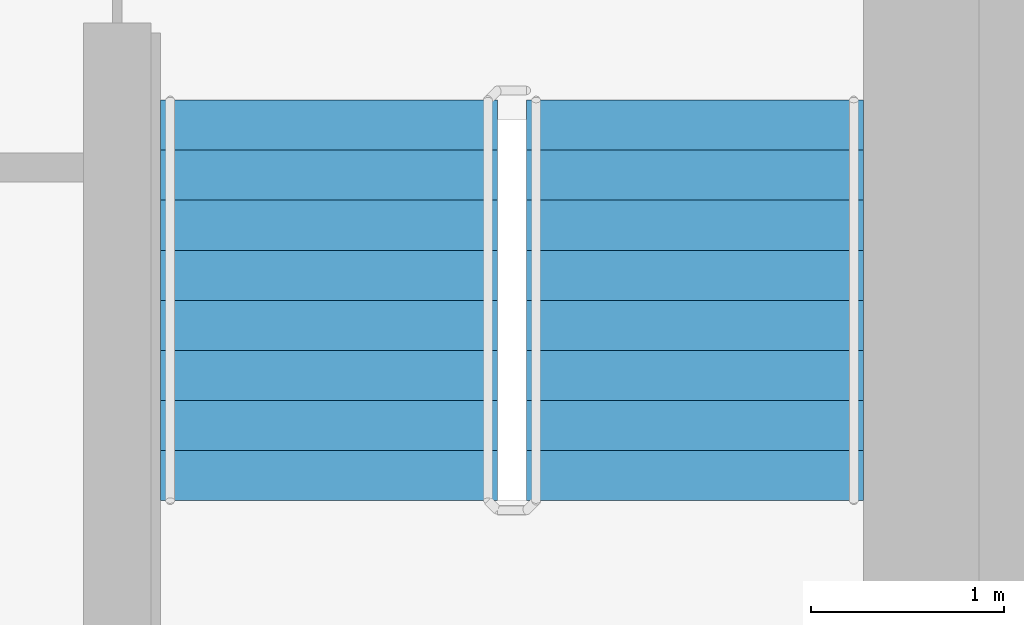
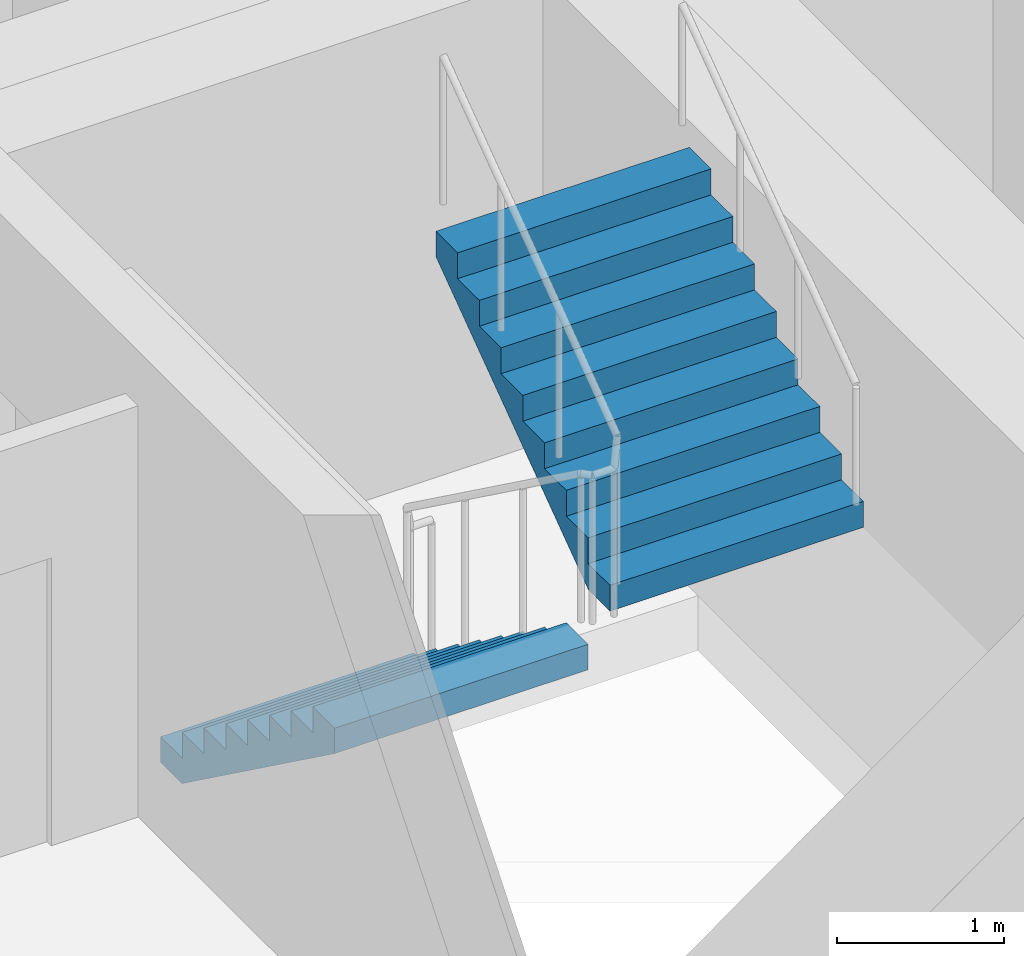
# One storey, part 14 of 18: 2 stair flights, 1 element without a shape of its own.
"""IFC4 building model written with IfcOpenShell, lengths in metres."""

from ifc_helpers import new_model, si_unit, direction, frame, origin, place, context, subcontext, project, spatial, faceted_brep, material, type_object, element, aggregate, save


model = new_model("IFC4")

# Units and contexts
model_context = context("Model", 3, precision=1e-05, world=origin(), true_north=direction((0.0, 1.0)))
body_context = subcontext(model_context, "Body", "Model", "MODEL_VIEW")
ifc_project = project(units=[si_unit("LENGTHUNIT", "METRE"), si_unit("AREAUNIT", "SQUARE_METRE"), si_unit("VOLUMEUNIT", "CUBIC_METRE"), si_unit("PLANEANGLEUNIT", "RADIAN"), si_unit("MASSUNIT", "GRAM", prefix="KILO")], contexts=[model_context])

# Site, building, storey
site_placement = place(None, origin())
site = spatial("IfcSite", under=ifc_project, at=site_placement, CompositionType="ELEMENT")
building_placement = place(site_placement, origin())
building = spatial("IfcBuilding", under=site, at=building_placement, Name="Ipe Terrace Towers", CompositionType="ELEMENT")
storey_placement = place(building_placement, frame((0.0, 0.0, 216.39990234375)))
storey = spatial("IfcBuildingStorey", under=building, at=storey_placement, Name="L60", CompositionType="ELEMENT", Elevation=216.39990234375)

# Stair, stair flights
ifc_material_1 = material(Name="Concrete C30/37", Category="concrete")
stair_type = type_object("IfcStairType", Name="Protected exit stair", PredefinedType="HALF_TURN_STAIR", material=ifc_material_1)
stair_placement = place(storey_placement, origin())
stair = element("IfcStair", 1, at=stair_placement, inside=storey, type_object=stair_type, Name="L60 Exit stair T2-C2", PredefinedType="HALF_TURN_STAIR")
ifc_material_2 = material(Name="Concrete C30/37", Category="concrete")
stair_flight_type = type_object("IfcStairFlightType", Name="Exit stair flight 1750", PredefinedType="STRAIGHT", material=ifc_material_2)
stair_flight_1_placement = place(storey_placement, frame((38.77490234375, -9.699951171875, 0.0), z_axis=(0.0, 0.0, 1.0), x_axis=(0.0, -1.0, 0.0)))
stair_flight_1 = element("IfcStairFlight", 2, at=stair_flight_1_placement, type_object=stair_flight_type, Name="T2-ST2 flight 1", NumberOfRisers=9, NumberOfTreads=8, PredefinedType="STRAIGHT", RiserHeight=0.188888889, TreadLength=0.26, context=body_context, shape_type="Brep", body=[
    faceted_brep([(0.255126953125, -0.875, 0.0), (2.080078125, -0.875, 1.325927734375), (2.080078125, -0.875, 1.51123046875), (1.820068359375, -0.875, 1.51123046875), (1.820068359375, -0.875, 1.322265625), (1.56005859375, -0.875, 1.322265625), (1.56005859375, -0.875, 1.13330078125), (1.300048828125, -0.875, 1.13330078125), (1.300048828125, -0.875, 0.9443359375), (1.0400390625, -0.875, 0.9443359375), (1.0400390625, -0.875, 0.755615234375), (0.780029296875, -0.875, 0.755615234375), (0.780029296875, -0.875, 0.566650390625), (0.52001953125, -0.875, 0.566650390625), (0.52001953125, -0.875, 0.377685546875), (0.260009765625, -0.875, 0.377685546875), (0.260009765625, -0.875, 0.18896484375), (0.0, -0.875, 0.18896484375), (0.0, -0.875, 0.0), (0.0, 0.875, 0.0), (0.0, 0.875, 0.18896484375), (0.260009765625, 0.875, 0.18896484375), (0.260009765625, 0.875, 0.377685546875), (0.52001953125, 0.875, 0.377685546875), (0.52001953125, 0.875, 0.566650390625), (0.780029296875, 0.875, 0.566650390625), (0.780029296875, 0.875, 0.755615234375), (1.0400390625, 0.875, 0.755615234375), (1.0400390625, 0.875, 0.9443359375), (1.300048828125, 0.875, 0.9443359375), (1.300048828125, 0.875, 1.13330078125), (1.56005859375, 0.875, 1.13330078125), (1.56005859375, 0.875, 1.322265625), (1.820068359375, 0.875, 1.322265625), (1.820068359375, 0.875, 1.51123046875), (2.080078125, 0.875, 1.51123046875), (2.080078125, 0.875, 1.325927734375), (0.255126953125, 0.875, 0.0), (0.0, -0.300048828125, 0.18896484375), (0.0, -0.1201171875, 0.18896484375), (0.0, -0.06005859375, 0.18896484375), (0.0, -0.030029296875, 0.18896484375), (0.0, -0.010009765625, 0.18896484375), (0.0, 0.0, 0.18896484375), (0.0, 0.010009765625, 0.18896484375), (0.0, 0.030029296875, 0.18896484375), (0.0, 0.06005859375, 0.18896484375), (0.0, 0.1201171875, 0.18896484375), (0.0, 0.300048828125, 0.18896484375), (0.0, 0.300048828125, 0.0), (0.0, 0.1201171875, 0.0), (0.0, 0.06005859375, 0.0), (0.0, 0.030029296875, 0.0), (0.0, 0.010009765625, 0.0), (0.0, 0.0, 0.0), (0.0, -0.010009765625, 0.0), (0.0, -0.030029296875, 0.0), (0.0, -0.06005859375, 0.0), (0.0, -0.1201171875, 0.0), (0.0, -0.300048828125, 0.0), (0.260009765625, -0.300048828125, 0.18896484375), (0.260009765625, -0.1201171875, 0.18896484375), (0.260009765625, -0.06005859375, 0.18896484375), (0.260009765625, -0.030029296875, 0.18896484375), (0.260009765625, -0.010009765625, 0.18896484375), (0.260009765625, 0.0, 0.18896484375), (0.260009765625, 0.010009765625, 0.18896484375), (0.260009765625, 0.030029296875, 0.18896484375), (0.260009765625, 0.06005859375, 0.18896484375), (0.260009765625, 0.1201171875, 0.18896484375), (0.260009765625, 0.300048828125, 0.18896484375), (0.260009765625, -0.300048828125, 0.377685546875), (0.260009765625, -0.1201171875, 0.377685546875), (0.260009765625, -0.06005859375, 0.377685546875), (0.260009765625, -0.030029296875, 0.377685546875), (0.260009765625, -0.010009765625, 0.377685546875), (0.260009765625, 0.0, 0.377685546875), (0.260009765625, 0.010009765625, 0.377685546875), (0.260009765625, 0.030029296875, 0.377685546875), (0.260009765625, 0.06005859375, 0.377685546875), (0.260009765625, 0.1201171875, 0.377685546875), (0.260009765625, 0.300048828125, 0.377685546875), (0.52001953125, -0.300048828125, 0.377685546875), (0.52001953125, -0.1201171875, 0.377685546875), (0.52001953125, -0.06005859375, 0.377685546875), (0.52001953125, -0.030029296875, 0.377685546875), (0.52001953125, -0.010009765625, 0.377685546875), (0.52001953125, 0.0, 0.377685546875), (0.52001953125, 0.010009765625, 0.377685546875), (0.52001953125, 0.030029296875, 0.377685546875), (0.52001953125, 0.06005859375, 0.377685546875), (0.52001953125, 0.1201171875, 0.377685546875), (0.52001953125, 0.300048828125, 0.377685546875), (0.52001953125, -0.300048828125, 0.566650390625), (0.52001953125, -0.1201171875, 0.566650390625), (0.52001953125, -0.06005859375, 0.566650390625), (0.52001953125, -0.030029296875, 0.566650390625), (0.52001953125, -0.010009765625, 0.566650390625), (0.52001953125, 0.0, 0.566650390625), (0.52001953125, 0.010009765625, 0.566650390625), (0.52001953125, 0.030029296875, 0.566650390625), (0.52001953125, 0.06005859375, 0.566650390625), (0.52001953125, 0.1201171875, 0.566650390625), (0.52001953125, 0.300048828125, 0.566650390625), (0.780029296875, -0.300048828125, 0.566650390625), (0.780029296875, -0.1201171875, 0.566650390625), (0.780029296875, -0.06005859375, 0.566650390625), (0.780029296875, -0.030029296875, 0.566650390625), (0.780029296875, -0.010009765625, 0.566650390625), (0.780029296875, 0.0, 0.566650390625), (0.780029296875, 0.010009765625, 0.566650390625), (0.780029296875, 0.030029296875, 0.566650390625), (0.780029296875, 0.06005859375, 0.566650390625), (0.780029296875, 0.1201171875, 0.566650390625), (0.780029296875, 0.300048828125, 0.566650390625), (0.780029296875, -0.300048828125, 0.755615234375), (0.780029296875, -0.1201171875, 0.755615234375), (0.780029296875, -0.06005859375, 0.755615234375), (0.780029296875, -0.030029296875, 0.755615234375), (0.780029296875, -0.010009765625, 0.755615234375), (0.780029296875, 0.0, 0.755615234375), (0.780029296875, 0.010009765625, 0.755615234375), (0.780029296875, 0.030029296875, 0.755615234375), (0.780029296875, 0.06005859375, 0.755615234375), (0.780029296875, 0.1201171875, 0.755615234375), (0.780029296875, 0.300048828125, 0.755615234375), (1.0400390625, -0.300048828125, 0.755615234375), (1.0400390625, -0.1201171875, 0.755615234375), (1.0400390625, -0.06005859375, 0.755615234375), (1.0400390625, -0.030029296875, 0.755615234375), (1.0400390625, -0.010009765625, 0.755615234375), (1.0400390625, 0.0, 0.755615234375), (1.0400390625, 0.010009765625, 0.755615234375), (1.0400390625, 0.030029296875, 0.755615234375), (1.0400390625, 0.06005859375, 0.755615234375), (1.0400390625, 0.1201171875, 0.755615234375), (1.0400390625, 0.300048828125, 0.755615234375), (1.0400390625, -0.300048828125, 0.9443359375), (1.0400390625, -0.1201171875, 0.9443359375), (1.0400390625, -0.06005859375, 0.9443359375), (1.0400390625, -0.030029296875, 0.9443359375), (1.0400390625, -0.010009765625, 0.9443359375), (1.0400390625, 0.0, 0.9443359375), (1.0400390625, 0.010009765625, 0.9443359375), (1.0400390625, 0.030029296875, 0.9443359375), (1.0400390625, 0.06005859375, 0.9443359375), (1.0400390625, 0.1201171875, 0.9443359375), (1.0400390625, 0.300048828125, 0.9443359375), (1.300048828125, -0.300048828125, 0.9443359375), (1.300048828125, -0.1201171875, 0.9443359375), (1.300048828125, -0.06005859375, 0.9443359375), (1.300048828125, -0.030029296875, 0.9443359375), (1.300048828125, -0.010009765625, 0.9443359375), (1.300048828125, 0.0, 0.9443359375), (1.300048828125, 0.010009765625, 0.9443359375), (1.300048828125, 0.030029296875, 0.9443359375), (1.300048828125, 0.06005859375, 0.9443359375), (1.300048828125, 0.1201171875, 0.9443359375), (1.300048828125, 0.300048828125, 0.9443359375), (1.300048828125, -0.300048828125, 1.13330078125), (1.300048828125, -0.1201171875, 1.13330078125), (1.300048828125, -0.06005859375, 1.13330078125), (1.300048828125, -0.030029296875, 1.13330078125), (1.300048828125, -0.010009765625, 1.13330078125), (1.300048828125, 0.0, 1.13330078125), (1.300048828125, 0.010009765625, 1.13330078125), (1.300048828125, 0.030029296875, 1.13330078125), (1.300048828125, 0.06005859375, 1.13330078125), (1.300048828125, 0.1201171875, 1.13330078125), (1.300048828125, 0.300048828125, 1.13330078125), (1.56005859375, -0.300048828125, 1.13330078125), (1.56005859375, -0.1201171875, 1.13330078125), (1.56005859375, -0.06005859375, 1.13330078125), (1.56005859375, -0.030029296875, 1.13330078125), (1.56005859375, -0.010009765625, 1.13330078125), (1.56005859375, 0.0, 1.13330078125), (1.56005859375, 0.010009765625, 1.13330078125), (1.56005859375, 0.030029296875, 1.13330078125), (1.56005859375, 0.06005859375, 1.13330078125), (1.56005859375, 0.1201171875, 1.13330078125), (1.56005859375, 0.300048828125, 1.13330078125), (1.56005859375, -0.300048828125, 1.322265625), (1.56005859375, -0.1201171875, 1.322265625), (1.56005859375, -0.06005859375, 1.322265625), (1.56005859375, -0.030029296875, 1.322265625), (1.56005859375, -0.010009765625, 1.322265625), (1.56005859375, 0.0, 1.322265625), (1.56005859375, 0.010009765625, 1.322265625), (1.56005859375, 0.030029296875, 1.322265625), (1.56005859375, 0.06005859375, 1.322265625), (1.56005859375, 0.1201171875, 1.322265625), (1.56005859375, 0.300048828125, 1.322265625), (1.820068359375, -0.300048828125, 1.322265625), (1.820068359375, -0.1201171875, 1.322265625), (1.820068359375, -0.06005859375, 1.322265625), (1.820068359375, -0.030029296875, 1.322265625), (1.820068359375, -0.010009765625, 1.322265625), (1.820068359375, 0.0, 1.322265625), (1.820068359375, 0.010009765625, 1.322265625), (1.820068359375, 0.030029296875, 1.322265625), (1.820068359375, 0.06005859375, 1.322265625), (1.820068359375, 0.1201171875, 1.322265625), (1.820068359375, 0.300048828125, 1.322265625), (1.820068359375, -0.300048828125, 1.51123046875), (1.820068359375, -0.1201171875, 1.51123046875), (1.820068359375, -0.06005859375, 1.51123046875), (1.820068359375, -0.030029296875, 1.51123046875), (1.820068359375, -0.010009765625, 1.51123046875), (1.820068359375, 0.0, 1.51123046875), (1.820068359375, 0.010009765625, 1.51123046875), (1.820068359375, 0.030029296875, 1.51123046875), (1.820068359375, 0.06005859375, 1.51123046875), (1.820068359375, 0.1201171875, 1.51123046875), (1.820068359375, 0.300048828125, 1.51123046875), (2.080078125, -0.300048828125, 1.51123046875), (2.080078125, -0.1201171875, 1.51123046875), (2.080078125, -0.06005859375, 1.51123046875), (2.080078125, -0.030029296875, 1.51123046875), (2.080078125, -0.010009765625, 1.51123046875), (2.080078125, 0.0, 1.51123046875), (2.080078125, 0.010009765625, 1.51123046875), (2.080078125, 0.030029296875, 1.51123046875), (2.080078125, 0.06005859375, 1.51123046875), (2.080078125, 0.1201171875, 1.51123046875), (2.080078125, 0.300048828125, 1.51123046875), (2.080078125, -0.300048828125, 1.325927734375), (2.080078125, -0.1201171875, 1.325927734375), (2.080078125, -0.06005859375, 1.325927734375), (2.080078125, -0.030029296875, 1.325927734375), (2.080078125, -0.010009765625, 1.325927734375), (2.080078125, 0.0, 1.325927734375), (2.080078125, 0.010009765625, 1.325927734375), (2.080078125, 0.030029296875, 1.325927734375), (2.080078125, 0.06005859375, 1.325927734375), (2.080078125, 0.1201171875, 1.325927734375), (2.080078125, 0.300048828125, 1.325927734375), (0.255126953125, -0.300048828125, 0.0), (0.255126953125, -0.1201171875, 0.0), (0.255126953125, -0.06005859375, 0.0), (0.255126953125, -0.030029296875, 0.0), (0.255126953125, -0.010009765625, 0.0), (0.255126953125, 0.0, 0.0), (0.255126953125, 0.010009765625, 0.0), (0.255126953125, 0.030029296875, 0.0), (0.255126953125, 0.06005859375, 0.0), (0.255126953125, 0.1201171875, 0.0), (0.255126953125, 0.300048828125, 0.0)], [[[0, 1, 2, 3, 4, 5, 6, 7, 8, 9, 10, 11, 12, 13, 14, 15, 16, 17, 18]], [[19, 20, 21, 22, 23, 24, 25, 26, 27, 28, 29, 30, 31, 32, 33, 34, 35, 36, 37]], [[17, 38, 39, 40, 41, 42, 43, 44, 45, 46, 47, 48, 20, 19, 49, 50, 51, 52, 53, 54, 55, 56, 57, 58, 59, 18]], [[16, 60, 61, 62, 63, 64, 65, 66, 67, 68, 69, 70, 21, 20, 48, 47, 46, 45, 44, 43, 42, 41, 40, 39, 38, 17]], [[15, 71, 72, 73, 74, 75, 76, 77, 78, 79, 80, 81, 22, 21, 70, 69, 68, 67, 66, 65, 64, 63, 62, 61, 60, 16]], [[14, 82, 83, 84, 85, 86, 87, 88, 89, 90, 91, 92, 23, 22, 81, 80, 79, 78, 77, 76, 75, 74, 73, 72, 71, 15]], [[13, 93, 94, 95, 96, 97, 98, 99, 100, 101, 102, 103, 24, 23, 92, 91, 90, 89, 88, 87, 86, 85, 84, 83, 82, 14]], [[12, 104, 105, 106, 107, 108, 109, 110, 111, 112, 113, 114, 25, 24, 103, 102, 101, 100, 99, 98, 97, 96, 95, 94, 93, 13]], [[11, 115, 116, 117, 118, 119, 120, 121, 122, 123, 124, 125, 26, 25, 114, 113, 112, 111, 110, 109, 108, 107, 106, 105, 104, 12]], [[10, 126, 127, 128, 129, 130, 131, 132, 133, 134, 135, 136, 27, 26, 125, 124, 123, 122, 121, 120, 119, 118, 117, 116, 115, 11]], [[9, 137, 138, 139, 140, 141, 142, 143, 144, 145, 146, 147, 28, 27, 136, 135, 134, 133, 132, 131, 130, 129, 128, 127, 126, 10]], [[8, 148, 149, 150, 151, 152, 153, 154, 155, 156, 157, 158, 29, 28, 147, 146, 145, 144, 143, 142, 141, 140, 139, 138, 137, 9]], [[7, 159, 160, 161, 162, 163, 164, 165, 166, 167, 168, 169, 30, 29, 158, 157, 156, 155, 154, 153, 152, 151, 150, 149, 148, 8]], [[6, 170, 171, 172, 173, 174, 175, 176, 177, 178, 179, 180, 31, 30, 169, 168, 167, 166, 165, 164, 163, 162, 161, 160, 159, 7]], [[5, 181, 182, 183, 184, 185, 186, 187, 188, 189, 190, 191, 32, 31, 180, 179, 178, 177, 176, 175, 174, 173, 172, 171, 170, 6]], [[4, 192, 193, 194, 195, 196, 197, 198, 199, 200, 201, 202, 33, 32, 191, 190, 189, 188, 187, 186, 185, 184, 183, 182, 181, 5]], [[3, 203, 204, 205, 206, 207, 208, 209, 210, 211, 212, 213, 34, 33, 202, 201, 200, 199, 198, 197, 196, 195, 194, 193, 192, 4]], [[2, 214, 215, 216, 217, 218, 219, 220, 221, 222, 223, 224, 35, 34, 213, 212, 211, 210, 209, 208, 207, 206, 205, 204, 203, 3]], [[1, 225, 226, 227, 228, 229, 230, 231, 232, 233, 234, 235, 36, 35, 224, 223, 222, 221, 220, 219, 218, 217, 216, 215, 214, 2]], [[0, 236, 237, 238, 239, 240, 241, 242, 243, 244, 245, 246, 37, 36, 235, 234, 233, 232, 231, 230, 229, 228, 227, 226, 225, 1]], [[18, 59, 58, 57, 56, 55, 54, 53, 52, 51, 50, 49, 19, 37, 246, 245, 244, 243, 242, 241, 240, 239, 238, 237, 236, 0]]]),
])
stair_flight_2_placement = place(storey_placement, frame((40.675048828125, -11.780029296875, 1.7001953125), z_axis=(0.0, 0.0, 1.0), x_axis=(0.0, 1.0, 0.0)))
stair_flight_2 = element("IfcStairFlight", 3, at=stair_flight_2_placement, type_object=stair_flight_type, Name="T2-ST2 flight 2", NumberOfRisers=9, NumberOfTreads=8, PredefinedType="STRAIGHT", RiserHeight=0.188888889, TreadLength=0.26, context=body_context, shape_type="Brep", body=[
    faceted_brep([(0.255126953125, -0.875, 0.0), (2.080078125, -0.875, 1.325927734375), (2.080078125, -0.875, 1.51123046875), (1.820068359375, -0.875, 1.51123046875), (1.820068359375, -0.875, 1.322265625), (1.56005859375, -0.875, 1.322265625), (1.56005859375, -0.875, 1.13330078125), (1.300048828125, -0.875, 1.13330078125), (1.300048828125, -0.875, 0.9443359375), (1.0400390625, -0.875, 0.9443359375), (1.0400390625, -0.875, 0.755615234375), (0.780029296875, -0.875, 0.755615234375), (0.780029296875, -0.875, 0.566650390625), (0.52001953125, -0.875, 0.566650390625), (0.52001953125, -0.875, 0.377685546875), (0.260009765625, -0.875, 0.377685546875), (0.260009765625, -0.875, 0.18896484375), (0.0, -0.875, 0.18896484375), (0.0, -0.875, 0.0), (0.0, 0.875, 0.0), (0.0, 0.875, 0.18896484375), (0.260009765625, 0.875, 0.18896484375), (0.260009765625, 0.875, 0.377685546875), (0.52001953125, 0.875, 0.377685546875), (0.52001953125, 0.875, 0.566650390625), (0.780029296875, 0.875, 0.566650390625), (0.780029296875, 0.875, 0.755615234375), (1.0400390625, 0.875, 0.755615234375), (1.0400390625, 0.875, 0.9443359375), (1.300048828125, 0.875, 0.9443359375), (1.300048828125, 0.875, 1.13330078125), (1.56005859375, 0.875, 1.13330078125), (1.56005859375, 0.875, 1.322265625), (1.820068359375, 0.875, 1.322265625), (1.820068359375, 0.875, 1.51123046875), (2.080078125, 0.875, 1.51123046875), (2.080078125, 0.875, 1.325927734375), (0.255126953125, 0.875, 0.0), (0.0, -0.300048828125, 0.18896484375), (0.0, -0.1201171875, 0.18896484375), (0.0, -0.06005859375, 0.18896484375), (0.0, -0.030029296875, 0.18896484375), (0.0, -0.010009765625, 0.18896484375), (0.0, 0.0, 0.18896484375), (0.0, 0.010009765625, 0.18896484375), (0.0, 0.030029296875, 0.18896484375), (0.0, 0.06005859375, 0.18896484375), (0.0, 0.1201171875, 0.18896484375), (0.0, 0.300048828125, 0.18896484375), (0.0, 0.300048828125, 0.0), (0.0, 0.1201171875, 0.0), (0.0, 0.06005859375, 0.0), (0.0, 0.030029296875, 0.0), (0.0, 0.010009765625, 0.0), (0.0, 0.0, 0.0), (0.0, -0.010009765625, 0.0), (0.0, -0.030029296875, 0.0), (0.0, -0.06005859375, 0.0), (0.0, -0.1201171875, 0.0), (0.0, -0.300048828125, 0.0), (0.260009765625, -0.300048828125, 0.18896484375), (0.260009765625, -0.1201171875, 0.18896484375), (0.260009765625, -0.06005859375, 0.18896484375), (0.260009765625, -0.030029296875, 0.18896484375), (0.260009765625, -0.010009765625, 0.18896484375), (0.260009765625, 0.0, 0.18896484375), (0.260009765625, 0.010009765625, 0.18896484375), (0.260009765625, 0.030029296875, 0.18896484375), (0.260009765625, 0.06005859375, 0.18896484375), (0.260009765625, 0.1201171875, 0.18896484375), (0.260009765625, 0.300048828125, 0.18896484375), (0.260009765625, -0.300048828125, 0.377685546875), (0.260009765625, -0.1201171875, 0.377685546875), (0.260009765625, -0.06005859375, 0.377685546875), (0.260009765625, -0.030029296875, 0.377685546875), (0.260009765625, -0.010009765625, 0.377685546875), (0.260009765625, 0.0, 0.377685546875), (0.260009765625, 0.010009765625, 0.377685546875), (0.260009765625, 0.030029296875, 0.377685546875), (0.260009765625, 0.06005859375, 0.377685546875), (0.260009765625, 0.1201171875, 0.377685546875), (0.260009765625, 0.300048828125, 0.377685546875), (0.52001953125, -0.300048828125, 0.377685546875), (0.52001953125, -0.1201171875, 0.377685546875), (0.52001953125, -0.06005859375, 0.377685546875), (0.52001953125, -0.030029296875, 0.377685546875), (0.52001953125, -0.010009765625, 0.377685546875), (0.52001953125, 0.0, 0.377685546875), (0.52001953125, 0.010009765625, 0.377685546875), (0.52001953125, 0.030029296875, 0.377685546875), (0.52001953125, 0.06005859375, 0.377685546875), (0.52001953125, 0.1201171875, 0.377685546875), (0.52001953125, 0.300048828125, 0.377685546875), (0.52001953125, -0.300048828125, 0.566650390625), (0.52001953125, -0.1201171875, 0.566650390625), (0.52001953125, -0.06005859375, 0.566650390625), (0.52001953125, -0.030029296875, 0.566650390625), (0.52001953125, -0.010009765625, 0.566650390625), (0.52001953125, 0.0, 0.566650390625), (0.52001953125, 0.010009765625, 0.566650390625), (0.52001953125, 0.030029296875, 0.566650390625), (0.52001953125, 0.06005859375, 0.566650390625), (0.52001953125, 0.1201171875, 0.566650390625), (0.52001953125, 0.300048828125, 0.566650390625), (0.780029296875, -0.300048828125, 0.566650390625), (0.780029296875, -0.1201171875, 0.566650390625), (0.780029296875, -0.06005859375, 0.566650390625), (0.780029296875, -0.030029296875, 0.566650390625), (0.780029296875, -0.010009765625, 0.566650390625), (0.780029296875, 0.0, 0.566650390625), (0.780029296875, 0.010009765625, 0.566650390625), (0.780029296875, 0.030029296875, 0.566650390625), (0.780029296875, 0.06005859375, 0.566650390625), (0.780029296875, 0.1201171875, 0.566650390625), (0.780029296875, 0.300048828125, 0.566650390625), (0.780029296875, -0.300048828125, 0.755615234375), (0.780029296875, -0.1201171875, 0.755615234375), (0.780029296875, -0.06005859375, 0.755615234375), (0.780029296875, -0.030029296875, 0.755615234375), (0.780029296875, -0.010009765625, 0.755615234375), (0.780029296875, 0.0, 0.755615234375), (0.780029296875, 0.010009765625, 0.755615234375), (0.780029296875, 0.030029296875, 0.755615234375), (0.780029296875, 0.06005859375, 0.755615234375), (0.780029296875, 0.1201171875, 0.755615234375), (0.780029296875, 0.300048828125, 0.755615234375), (1.0400390625, -0.300048828125, 0.755615234375), (1.0400390625, -0.1201171875, 0.755615234375), (1.0400390625, -0.06005859375, 0.755615234375), (1.0400390625, -0.030029296875, 0.755615234375), (1.0400390625, -0.010009765625, 0.755615234375), (1.0400390625, 0.0, 0.755615234375), (1.0400390625, 0.010009765625, 0.755615234375), (1.0400390625, 0.030029296875, 0.755615234375), (1.0400390625, 0.06005859375, 0.755615234375), (1.0400390625, 0.1201171875, 0.755615234375), (1.0400390625, 0.300048828125, 0.755615234375), (1.0400390625, -0.300048828125, 0.9443359375), (1.0400390625, -0.1201171875, 0.9443359375), (1.0400390625, -0.06005859375, 0.9443359375), (1.0400390625, -0.030029296875, 0.9443359375), (1.0400390625, -0.010009765625, 0.9443359375), (1.0400390625, 0.0, 0.9443359375), (1.0400390625, 0.010009765625, 0.9443359375), (1.0400390625, 0.030029296875, 0.9443359375), (1.0400390625, 0.06005859375, 0.9443359375), (1.0400390625, 0.1201171875, 0.9443359375), (1.0400390625, 0.300048828125, 0.9443359375), (1.300048828125, -0.300048828125, 0.9443359375), (1.300048828125, -0.1201171875, 0.9443359375), (1.300048828125, -0.06005859375, 0.9443359375), (1.300048828125, -0.030029296875, 0.9443359375), (1.300048828125, -0.010009765625, 0.9443359375), (1.300048828125, 0.0, 0.9443359375), (1.300048828125, 0.010009765625, 0.9443359375), (1.300048828125, 0.030029296875, 0.9443359375), (1.300048828125, 0.06005859375, 0.9443359375), (1.300048828125, 0.1201171875, 0.9443359375), (1.300048828125, 0.300048828125, 0.9443359375), (1.300048828125, -0.300048828125, 1.13330078125), (1.300048828125, -0.1201171875, 1.13330078125), (1.300048828125, -0.06005859375, 1.13330078125), (1.300048828125, -0.030029296875, 1.13330078125), (1.300048828125, -0.010009765625, 1.13330078125), (1.300048828125, 0.0, 1.13330078125), (1.300048828125, 0.010009765625, 1.13330078125), (1.300048828125, 0.030029296875, 1.13330078125), (1.300048828125, 0.06005859375, 1.13330078125), (1.300048828125, 0.1201171875, 1.13330078125), (1.300048828125, 0.300048828125, 1.13330078125), (1.56005859375, -0.300048828125, 1.13330078125), (1.56005859375, -0.1201171875, 1.13330078125), (1.56005859375, -0.06005859375, 1.13330078125), (1.56005859375, -0.030029296875, 1.13330078125), (1.56005859375, -0.010009765625, 1.13330078125), (1.56005859375, 0.0, 1.13330078125), (1.56005859375, 0.010009765625, 1.13330078125), (1.56005859375, 0.030029296875, 1.13330078125), (1.56005859375, 0.06005859375, 1.13330078125), (1.56005859375, 0.1201171875, 1.13330078125), (1.56005859375, 0.300048828125, 1.13330078125), (1.56005859375, -0.300048828125, 1.322265625), (1.56005859375, -0.1201171875, 1.322265625), (1.56005859375, -0.06005859375, 1.322265625), (1.56005859375, -0.030029296875, 1.322265625), (1.56005859375, -0.010009765625, 1.322265625), (1.56005859375, 0.0, 1.322265625), (1.56005859375, 0.010009765625, 1.322265625), (1.56005859375, 0.030029296875, 1.322265625), (1.56005859375, 0.06005859375, 1.322265625), (1.56005859375, 0.1201171875, 1.322265625), (1.56005859375, 0.300048828125, 1.322265625), (1.820068359375, -0.300048828125, 1.322265625), (1.820068359375, -0.1201171875, 1.322265625), (1.820068359375, -0.06005859375, 1.322265625), (1.820068359375, -0.030029296875, 1.322265625), (1.820068359375, -0.010009765625, 1.322265625), (1.820068359375, 0.0, 1.322265625), (1.820068359375, 0.010009765625, 1.322265625), (1.820068359375, 0.030029296875, 1.322265625), (1.820068359375, 0.06005859375, 1.322265625), (1.820068359375, 0.1201171875, 1.322265625), (1.820068359375, 0.300048828125, 1.322265625), (1.820068359375, -0.300048828125, 1.51123046875), (1.820068359375, -0.1201171875, 1.51123046875), (1.820068359375, -0.06005859375, 1.51123046875), (1.820068359375, -0.030029296875, 1.51123046875), (1.820068359375, -0.010009765625, 1.51123046875), (1.820068359375, 0.0, 1.51123046875), (1.820068359375, 0.010009765625, 1.51123046875), (1.820068359375, 0.030029296875, 1.51123046875), (1.820068359375, 0.06005859375, 1.51123046875), (1.820068359375, 0.1201171875, 1.51123046875), (1.820068359375, 0.300048828125, 1.51123046875), (2.080078125, -0.300048828125, 1.51123046875), (2.080078125, -0.1201171875, 1.51123046875), (2.080078125, -0.06005859375, 1.51123046875), (2.080078125, -0.030029296875, 1.51123046875), (2.080078125, -0.010009765625, 1.51123046875), (2.080078125, 0.0, 1.51123046875), (2.080078125, 0.010009765625, 1.51123046875), (2.080078125, 0.030029296875, 1.51123046875), (2.080078125, 0.06005859375, 1.51123046875), (2.080078125, 0.1201171875, 1.51123046875), (2.080078125, 0.300048828125, 1.51123046875), (2.080078125, -0.300048828125, 1.325927734375), (2.080078125, -0.1201171875, 1.325927734375), (2.080078125, -0.06005859375, 1.325927734375), (2.080078125, -0.030029296875, 1.325927734375), (2.080078125, -0.010009765625, 1.325927734375), (2.080078125, 0.0, 1.325927734375), (2.080078125, 0.010009765625, 1.325927734375), (2.080078125, 0.030029296875, 1.325927734375), (2.080078125, 0.06005859375, 1.325927734375), (2.080078125, 0.1201171875, 1.325927734375), (2.080078125, 0.300048828125, 1.325927734375), (0.255126953125, -0.300048828125, 0.0), (0.255126953125, -0.1201171875, 0.0), (0.255126953125, -0.06005859375, 0.0), (0.255126953125, -0.030029296875, 0.0), (0.255126953125, -0.010009765625, 0.0), (0.255126953125, 0.0, 0.0), (0.255126953125, 0.010009765625, 0.0), (0.255126953125, 0.030029296875, 0.0), (0.255126953125, 0.06005859375, 0.0), (0.255126953125, 0.1201171875, 0.0), (0.255126953125, 0.300048828125, 0.0)], [[[0, 1, 2, 3, 4, 5, 6, 7, 8, 9, 10, 11, 12, 13, 14, 15, 16, 17, 18]], [[19, 20, 21, 22, 23, 24, 25, 26, 27, 28, 29, 30, 31, 32, 33, 34, 35, 36, 37]], [[17, 38, 39, 40, 41, 42, 43, 44, 45, 46, 47, 48, 20, 19, 49, 50, 51, 52, 53, 54, 55, 56, 57, 58, 59, 18]], [[16, 60, 61, 62, 63, 64, 65, 66, 67, 68, 69, 70, 21, 20, 48, 47, 46, 45, 44, 43, 42, 41, 40, 39, 38, 17]], [[15, 71, 72, 73, 74, 75, 76, 77, 78, 79, 80, 81, 22, 21, 70, 69, 68, 67, 66, 65, 64, 63, 62, 61, 60, 16]], [[14, 82, 83, 84, 85, 86, 87, 88, 89, 90, 91, 92, 23, 22, 81, 80, 79, 78, 77, 76, 75, 74, 73, 72, 71, 15]], [[13, 93, 94, 95, 96, 97, 98, 99, 100, 101, 102, 103, 24, 23, 92, 91, 90, 89, 88, 87, 86, 85, 84, 83, 82, 14]], [[12, 104, 105, 106, 107, 108, 109, 110, 111, 112, 113, 114, 25, 24, 103, 102, 101, 100, 99, 98, 97, 96, 95, 94, 93, 13]], [[11, 115, 116, 117, 118, 119, 120, 121, 122, 123, 124, 125, 26, 25, 114, 113, 112, 111, 110, 109, 108, 107, 106, 105, 104, 12]], [[10, 126, 127, 128, 129, 130, 131, 132, 133, 134, 135, 136, 27, 26, 125, 124, 123, 122, 121, 120, 119, 118, 117, 116, 115, 11]], [[9, 137, 138, 139, 140, 141, 142, 143, 144, 145, 146, 147, 28, 27, 136, 135, 134, 133, 132, 131, 130, 129, 128, 127, 126, 10]], [[8, 148, 149, 150, 151, 152, 153, 154, 155, 156, 157, 158, 29, 28, 147, 146, 145, 144, 143, 142, 141, 140, 139, 138, 137, 9]], [[7, 159, 160, 161, 162, 163, 164, 165, 166, 167, 168, 169, 30, 29, 158, 157, 156, 155, 154, 153, 152, 151, 150, 149, 148, 8]], [[6, 170, 171, 172, 173, 174, 175, 176, 177, 178, 179, 180, 31, 30, 169, 168, 167, 166, 165, 164, 163, 162, 161, 160, 159, 7]], [[5, 181, 182, 183, 184, 185, 186, 187, 188, 189, 190, 191, 32, 31, 180, 179, 178, 177, 176, 175, 174, 173, 172, 171, 170, 6]], [[4, 192, 193, 194, 195, 196, 197, 198, 199, 200, 201, 202, 33, 32, 191, 190, 189, 188, 187, 186, 185, 184, 183, 182, 181, 5]], [[3, 203, 204, 205, 206, 207, 208, 209, 210, 211, 212, 213, 34, 33, 202, 201, 200, 199, 198, 197, 196, 195, 194, 193, 192, 4]], [[2, 214, 215, 216, 217, 218, 219, 220, 221, 222, 223, 224, 35, 34, 213, 212, 211, 210, 209, 208, 207, 206, 205, 204, 203, 3]], [[1, 225, 226, 227, 228, 229, 230, 231, 232, 233, 234, 235, 36, 35, 224, 223, 222, 221, 220, 219, 218, 217, 216, 215, 214, 2]], [[0, 236, 237, 238, 239, 240, 241, 242, 243, 244, 245, 246, 37, 36, 235, 234, 233, 232, 231, 230, 229, 228, 227, 226, 225, 1]], [[18, 59, 58, 57, 56, 55, 54, 53, 52, 51, 50, 49, 19, 37, 246, 245, 244, 243, 242, 241, 240, 239, 238, 237, 236, 0]]]),
])
aggregate(stair, [stair_flight_1, stair_flight_2])

save(model, "model.ifc")
